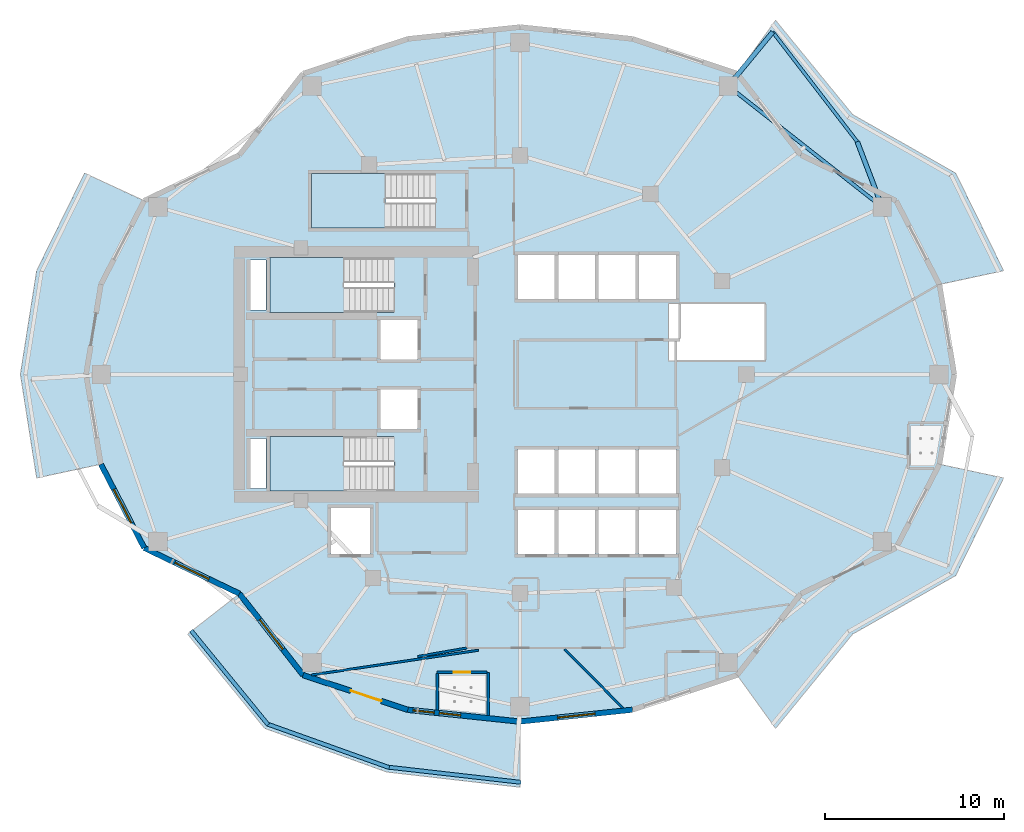
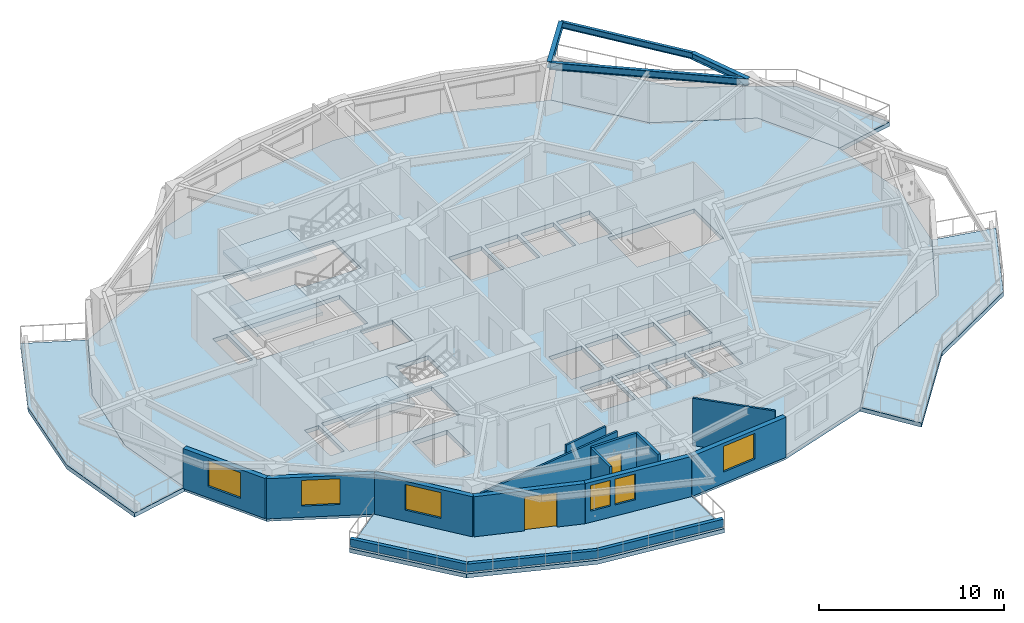
# One storey, part 2 of 14: 15 walls, 8 slabs, 6 windows, 4 beams, 2 doors, 8 openings, 3 elements without a shape of their own.
"""IFC4 building model written with IfcOpenShell, lengths in metres."""

from ifc_helpers import new_model, si_unit, direction, frame, frame_2d, origin, origin_2d, place, context, subcontext, project, spatial, polyline, rectangle, i_section, outline, extrude, material, layer, layer_set, material_profile, profile_set, type_object, element, fill, aggregate, save


model = new_model("IFC4")

# Units and contexts
model_context = context("Model", 3, precision=1e-05, world=origin(), true_north=direction((0.0, 1.0)))
body_context = subcontext(model_context, "Body", "Model", "MODEL_VIEW")
ifc_project = project(units=[si_unit("LENGTHUNIT", "METRE"), si_unit("AREAUNIT", "SQUARE_METRE"), si_unit("VOLUMEUNIT", "CUBIC_METRE"), si_unit("PLANEANGLEUNIT", "RADIAN"), si_unit("MASSUNIT", "GRAM", prefix="KILO")], contexts=[model_context])

# Site, building, storey
site_placement = place(None, origin())
site = spatial("IfcSite", under=ifc_project, at=site_placement, CompositionType="ELEMENT")
building_placement = place(site_placement, origin())
building = spatial("IfcBuilding", under=site, at=building_placement, Name="Kolvaren Gate Tower and Convention Centre", CompositionType="ELEMENT")
storey_placement = place(building_placement, frame((0.0, 0.0, 105.300048828125)))
storey = spatial("IfcBuildingStorey", under=building, at=storey_placement, Name="L25", CompositionType="ELEMENT", Elevation=105.300048828125)

# Beams
ifc_material_1 = material(Name="Structural steel ASTM A992 Grade 345 MPa", Category="steel")
ifc_material_profile_1 = material_profile(ifc_material_1, i_section(OverallWidth=0.260009765625, OverallDepth=0.419921875, WebThickness=0.013427734375, FlangeThickness=0.0224609375, at=origin_2d()), Name="W410X132")
ifc_profile_set_1 = profile_set([ifc_material_profile_1], Name="Structural steel ASTM A992 Grade 345 MPa")
beam_type_1 = type_object("IfcBeamType", Name="STR-BM-W410X132", PredefinedType="BEAM", material=ifc_profile_set_1)
for number, where, z_axis, x_axis, name in (
    (1, (50.30029296875, 36.318603515625, 2.92041015625), (-0.356078629863, 0.934455996479, 0.0), (-0.934455996479, -0.356078629863, 0.0), "Tower L26 Planted Balcony Outrigger Cantilever BC-1A"),
    (2, (41.721435546875, 43.068359375, 2.92041015625), (0.635777466799, 0.771872407014, 0.0), (-0.771872407014, 0.635777466799, 0.0), "Tower L26 Planted Balcony Outrigger Cantilever BC-1B"),
):
    element("IfcBeam", number, at=place(storey_placement, frame(where, z_axis=z_axis, x_axis=x_axis)), inside=storey, type_object=beam_type_1, Name=name, PredefinedType="BEAM", context=body_context, shape_type="SweptSolid", body=[
        extrude(i_section(OverallWidth=0.260009765625, OverallDepth=0.419921875, WebThickness=0.013427734375, FlangeThickness=0.0224609375, at=origin_2d()), origin(), (0.0, 0.0, 1.0), 3.89990234375),
    ])
ifc_material_profile_2 = material_profile(ifc_material_1, i_section(OverallWidth=0.180908203125, OverallDepth=0.4169921875, WebThickness=0.010986328125, FlangeThickness=0.018310546875, at=origin_2d()), Name="W410X85")
ifc_profile_set_2 = profile_set([ifc_material_profile_2], Name="Structural steel ASTM A992 Grade 345 MPa")
beam_type_2 = type_object("IfcBeamType", Name="STR-SP-W410X85", PredefinedType="SPANDREL", material=ifc_profile_set_2)
beam_1_placement = place(storey_placement, frame((48.91162109375, 39.962890625, 2.921875), z_axis=(-0.610222644788, 0.792229969004, 0.0), x_axis=(-0.792229969004, -0.610222644788, 0.0)))
element("IfcBeam", 3, at=beam_1_placement, inside=storey, type_object=beam_type_2, Name="Tower L26 Planted Balcony Header Tie Beam BT-1", PredefinedType="SPANDREL", context=body_context, shape_type="SweptSolid", body=[
    extrude(i_section(OverallWidth=0.180908203125, OverallDepth=0.4169921875, WebThickness=0.010986328125, FlangeThickness=0.018310546875, at=origin_2d()), origin(), (0.0, 0.0, 1.0), 7.7197265625),
])
ifc_material_profile_3 = material_profile(ifc_material_1, i_section(OverallWidth=0.194091796875, OverallDepth=0.468994140625, WebThickness=0.0126953125, FlangeThickness=0.0205078125, at=origin_2d()), Name="W460X106")
ifc_profile_set_3 = profile_set([ifc_material_profile_3], Name="Structural steel ASTM A992 Grade 345 MPa")
beam_type_3 = type_object("IfcBeamType", Name="STR-SP-W460X106", PredefinedType="SPANDREL", material=ifc_profile_set_3)
beam_2_placement = place(storey_placement, frame((50.30029296875, 36.318603515625, 2.8955078125), z_axis=(-0.785907610354, 0.618343939881, 0.0), x_axis=(-0.618343939881, -0.785907610354, 0.0)))
element("IfcBeam", 4, at=beam_2_placement, inside=storey, type_object=beam_type_3, Name="Tower L25 Perimeter Spandrel Beam SP-02", PredefinedType="SPANDREL", context=body_context, shape_type="SweptSolid", body=[
    extrude(i_section(OverallWidth=0.194091796875, OverallDepth=0.468994140625, WebThickness=0.0126953125, FlangeThickness=0.0205078125, at=origin_2d()), origin(), (0.0, 0.0, 1.0), 10.915771484375),
])

# Slabs
ifc_material_2 = material(Name="Concrete C50/60", Category="concrete")
ifc_layer_1 = layer(ifc_material_2, 0.27001953125)
ifc_layer_set_1 = layer_set([ifc_layer_1], Name="Concrete C50/60")
slab_type_1 = type_object("IfcSlabType", Name="STR-SL-BALC-270", PredefinedType="FLOOR", material=ifc_layer_set_1)
slab_1_placement = place(storey_placement, frame((0.0, 0.0, -0.27001953125)))
element("IfcSlab", 5, at=slab_1_placement, inside=storey, type_object=slab_type_1, Name="Tower L25 Planted Balcony Terrace Slab 1 (East)", PredefinedType="FLOOR", context=body_context, shape_type="SweptSolid", body=[
    extrude(outline(polyline([(53.48828125, 32.008056640625), (51.072021484375, 36.675048828125), (45.768798828125, 39.222900390625), (42.21875, 43.757568359375), (44.360595703125, 46.725341796875), (48.652587890625, 41.476318359375), (54.394775390625, 38.209716796875), (57.06689453125, 32.775146484375), (53.48828125, 32.008056640625)])), origin(), (0.0, 0.0, 1.0), 0.27001953125),
])
slab_2_placement = place(storey_placement, frame((0.0, 0.0, -0.27001953125)))
element("IfcSlab", 6, at=slab_2_placement, inside=storey, type_object=slab_type_1, Name="Tower L25 Planted Balcony Terrace Slab 2 (West)", PredefinedType="FLOOR", context=body_context, shape_type="SweptSolid", body=[
    extrude(outline(polyline([(9.177978515625, 36.675048828125), (6.76171875, 32.008056640625), (5.9375, 27.0), (6.76171875, 21.991943359375), (3.18310546875, 21.224853515625), (2.277587890625, 27.0), (3.18310546875, 32.775146484375), (5.855224609375, 38.209716796875), (9.177978515625, 36.675048828125)])), origin(), (0.0, 0.0, 1.0), 0.27001953125),
])
slab_3_placement = place(storey_placement, frame((0.0, 0.0, -0.27001953125)))
element("IfcSlab", 7, at=slab_3_placement, inside=storey, type_object=slab_type_1, Name="Tower L25 Planted Balcony Terrace Slab 3 (South)", PredefinedType="FLOOR", context=body_context, shape_type="SweptSolid", body=[
    extrude(outline(polyline([(14.481201171875, 14.777099609375), (18.03125, 10.242431640625), (23.86474609375, 8.309326171875), (30.125, 7.64990234375), (30.125, 3.989990234375), (22.702392578125, 4.8388671875), (15.889404296875, 7.274658203125), (11.597412109375, 12.523681640625), (14.481201171875, 14.777099609375)])), origin(), (0.0, 0.0, 1.0), 0.27001953125),
])
slab_4_placement = place(storey_placement, frame((0.0, 0.0, -0.27001953125)))
element("IfcSlab", 8, at=slab_4_placement, inside=storey, type_object=slab_type_1, Name="Tower L25 Planted Balcony Terrace Slab 4 (East)", PredefinedType="FLOOR", context=body_context, shape_type="SweptSolid", body=[
    extrude(outline(polyline([(42.21875, 10.242431640625), (45.768798828125, 14.777099609375), (51.072021484375, 17.324951171875), (53.48828125, 21.991943359375), (57.06689453125, 21.224853515625), (54.394775390625, 15.790283203125), (48.652587890625, 12.523681640625), (44.360595703125, 7.274658203125), (42.21875, 10.242431640625)])), origin(), (0.0, 0.0, 1.0), 0.27001953125),
])
ifc_material_3 = material(Name="Concrete C40/50", Category="concrete")
ifc_layer_2 = layer(ifc_material_3, 0.27001953125)
ifc_layer_set_2 = layer_set([ifc_layer_2], Name="Concrete C40/50")
slab_type_2 = type_object("IfcSlabType", Name="STR-SL-FLR-270", PredefinedType="FLOOR", material=ifc_layer_set_2)
slab_5_placement = place(storey_placement, frame((0.0, 0.0, -0.27001953125)))
element("IfcSlab", 9, at=slab_5_placement, inside=storey, type_object=slab_type_2, Name="Tower L25 Structural Floor Slab", PredefinedType="FLOOR", context=body_context, shape_type="SweptSolid", body=[
    extrude(outline(polyline([(54.3125, 27.0), (53.48828125, 32.008056640625), (51.072021484375, 36.675048828125), (45.768798828125, 39.222900390625), (42.21875, 43.757568359375), (36.38525390625, 45.690673828125), (30.125, 46.35009765625), (23.86474609375, 45.690673828125), (18.03125, 43.757568359375), (14.481201171875, 39.222900390625), (9.177978515625, 36.675048828125), (6.76171875, 32.008056640625), (5.9375, 27.0), (6.76171875, 21.991943359375), (9.177978515625, 17.324951171875), (14.481201171875, 14.777099609375), (18.03125, 10.242431640625), (23.86474609375, 8.309326171875), (30.125, 7.64990234375), (36.38525390625, 8.309326171875), (42.21875, 10.242431640625), (45.768798828125, 14.777099609375), (51.072021484375, 17.324951171875), (53.48828125, 21.991943359375), (54.3125, 27.0)]), holes=[polyline([(38.39990234375, 30.949951171875), (43.800048828125, 30.949951171875), (43.800048828125, 27.75), (38.39990234375, 27.75), (38.39990234375, 30.949951171875)]), polyline([(36.75, 33.64990234375), (38.800048828125, 33.64990234375), (38.800048828125, 31.199951171875), (36.75, 31.199951171875), (36.75, 33.64990234375)]), polyline([(36.75, 22.800048828125), (38.800048828125, 22.800048828125), (38.800048828125, 20.35009765625), (36.75, 20.35009765625), (36.75, 22.800048828125)]), polyline([(36.75, 19.449951171875), (38.800048828125, 19.449951171875), (38.800048828125, 17.0), (36.75, 17.0), (36.75, 19.449951171875)]), polyline([(34.5, 33.64990234375), (36.550048828125, 33.64990234375), (36.550048828125, 31.199951171875), (34.5, 31.199951171875), (34.5, 33.64990234375)]), polyline([(34.5, 20.35009765625), (34.5, 22.800048828125), (36.550048828125, 22.800048828125), (36.550048828125, 20.35009765625), (34.5, 20.35009765625)]), polyline([(34.5, 17.0), (34.5, 19.449951171875), (36.550048828125, 19.449951171875), (36.550048828125, 17.0), (34.5, 17.0)]), polyline([(32.25, 31.199951171875), (32.25, 33.64990234375), (34.300048828125, 33.64990234375), (34.300048828125, 31.199951171875), (32.25, 31.199951171875)]), polyline([(32.25, 22.800048828125), (34.300048828125, 22.800048828125), (34.300048828125, 20.35009765625), (32.25, 20.35009765625), (32.25, 22.800048828125)]), polyline([(32.25, 17.0), (32.25, 19.449951171875), (34.300048828125, 19.449951171875), (34.300048828125, 17.0), (32.25, 17.0)]), polyline([(30.0, 33.64990234375), (32.050048828125, 33.64990234375), (32.050048828125, 31.199951171875), (30.0, 31.199951171875), (30.0, 33.64990234375)]), polyline([(30.0, 20.35009765625), (30.0, 22.800048828125), (32.050048828125, 22.800048828125), (32.050048828125, 20.35009765625), (30.0, 20.35009765625)]), polyline([(30.0, 17.0), (30.0, 19.449951171875), (32.050048828125, 19.449951171875), (32.050048828125, 17.0), (30.0, 17.0)]), polyline([(25.39990234375, 38.199951171875), (25.39990234375, 35.159912109375), (18.5, 35.159912109375), (18.5, 38.199951171875), (25.39990234375, 38.199951171875)]), polyline([(22.35009765625, 27.840087890625), (22.35009765625, 30.0400390625), (24.39990234375, 30.0400390625), (24.39990234375, 27.840087890625), (22.35009765625, 27.840087890625)]), polyline([(22.35009765625, 23.9599609375), (22.35009765625, 26.159912109375), (24.39990234375, 26.159912109375), (24.39990234375, 23.9599609375), (22.35009765625, 23.9599609375)]), polyline([(23.10009765625, 30.4599609375), (16.199951171875, 30.4599609375), (16.199951171875, 33.5), (23.10009765625, 33.5), (23.10009765625, 30.4599609375)]), polyline([(23.10009765625, 20.5), (16.199951171875, 20.5), (16.199951171875, 23.5400390625), (23.10009765625, 23.5400390625), (23.10009765625, 20.5)]), polyline([(19.60009765625, 17.0), (19.60009765625, 19.550048828125), (21.75, 19.550048828125), (21.75, 17.0), (19.60009765625, 17.0)]), polyline([(15.080078125, 23.419921875), (15.969970703125, 23.419921875), (15.969970703125, 20.6298828125), (15.080078125, 20.6298828125), (15.080078125, 23.419921875)]), polyline([(15.080078125, 30.580078125), (15.080078125, 33.3701171875), (15.969970703125, 33.3701171875), (15.969970703125, 30.580078125), (15.080078125, 30.580078125)])]), origin(), (0.0, 0.0, 1.0), 0.27001953125),
])

# Stair, slab
stair_type = type_object("IfcStairType", Name="STR-STAIR-CORE", PredefinedType="HALF_TURN_STAIR", material=ifc_material_2)
stair_1_placement = place(storey_placement, origin())
stair_1 = element("IfcStair", 10, at=stair_1_placement, inside=storey, type_object=stair_type, Name="L25 Tower North Exit Stair ST-T1", PredefinedType="HALF_TURN_STAIR")
ifc_layer_3 = layer(ifc_material_2, 0.199951171875)
ifc_layer_set_3 = layer_set([ifc_layer_3], Name="Concrete C50/60")
slab_type_3 = type_object("IfcSlabType", Name="STR-SL-LAND-200", PredefinedType="LANDING", material=ifc_layer_set_3)
slab_6_placement = place(storey_placement, frame((0.0, 0.0, 1.5)))
slab_6 = element("IfcSlab", 11, at=slab_6_placement, type_object=slab_type_3, Name="ST-T1 landing 1", PredefinedType="LANDING", context=body_context, shape_type="SweptSolid", body=[
    extrude(outline(polyline([(20.31005859375, 33.5), (16.199951171875, 33.5), (16.199951171875, 30.4599609375), (20.31005859375, 30.4599609375), (20.31005859375, 33.5)])), origin(), (0.0, 0.0, 1.0), 0.199951171875),
])
aggregate(stair_1, [slab_6])

stair_2_placement = place(storey_placement, origin())
stair_2 = element("IfcStair", 12, at=stair_2_placement, inside=storey, type_object=stair_type, Name="L25 Tower South Exit Stair ST-T2", PredefinedType="HALF_TURN_STAIR")
slab_7_placement = place(storey_placement, frame((0.0, 0.0, 1.5)))
slab_7 = element("IfcSlab", 13, at=slab_7_placement, type_object=slab_type_3, Name="ST-T2 landing 1", PredefinedType="LANDING", context=body_context, shape_type="SweptSolid", body=[
    extrude(outline(polyline([(20.31005859375, 23.5400390625), (16.199951171875, 23.5400390625), (16.199951171875, 20.5), (20.31005859375, 20.5), (20.31005859375, 23.5400390625)])), origin(), (0.0, 0.0, 1.0), 0.199951171875),
])
aggregate(stair_2, [slab_7])

stair_3_placement = place(storey_placement, origin())
stair_3 = element("IfcStair", 14, at=stair_3_placement, inside=storey, type_object=stair_type, Name="L25 Tower Mid-Zone Exit Stair ST-T3", PredefinedType="HALF_TURN_STAIR")
slab_8_placement = place(storey_placement, frame((0.0, 0.0, 1.5)))
slab_8 = element("IfcSlab", 15, at=slab_8_placement, type_object=slab_type_3, Name="ST-T3 landing 1", PredefinedType="LANDING", context=body_context, shape_type="SweptSolid", body=[
    extrude(outline(polyline([(22.610107421875, 38.199951171875), (18.5, 38.199951171875), (18.5, 35.159912109375), (22.610107421875, 35.159912109375), (22.610107421875, 38.199951171875)])), origin(), (0.0, 0.0, 1.0), 0.199951171875),
])
aggregate(stair_3, [slab_8])

# Walls
ifc_material_4 = material(Name="Fire-Rated Acoustic Gypsum Stud Partition", Category="gypsum")
ifc_layer_4 = layer(ifc_material_4, 0.1201171875)
ifc_layer_set_4 = layer_set([ifc_layer_4], Name="Fire-Rated Acoustic Gypsum Stud Partition")
wall_type_1 = type_object("IfcWallType", Name="ARCH-WL-PART-120", PredefinedType="PARTITIONING", material=ifc_layer_set_4)
wall_1_placement = place(storey_placement, frame((18.496337890625, 10.248291015625, 0.0), z_axis=(0.0, 0.0, 1.0), x_axis=(0.989204993819, 0.14653832333, 0.0)))
element("IfcWall", 16, at=wall_1_placement, inside=storey, type_object=wall_type_1, Name="Interior Partition WL-L25-INT-038", PredefinedType="PARTITIONING", context=body_context, shape_type="SweptSolid", body=[
    extrude(rectangle(XDim=9.414794921875, YDim=0.1201171875, at=frame_2d((4.70751953125, 0.0))), origin(), (0.0, 0.0, 1.0), 2.65283203125),
])
wall_2_placement = place(storey_placement, frame((32.604248046875, 11.68798828125, 0.0), z_axis=(0.0, 0.0, 1.0), x_axis=(0.703262237237, -0.710930535057, 0.0)))
element("IfcWall", 17, at=wall_2_placement, inside=storey, type_object=wall_type_1, Name="Interior Partition WL-L25-INT-040", PredefinedType="PARTITIONING", context=body_context, shape_type="SweptSolid", body=[
    extrude(rectangle(XDim=4.616455078125, YDim=0.1201171875, at=frame_2d((2.30810546875, 0.0))), origin(), (0.0, 0.0, 1.0), 3.1298828125),
])
wall_3_placement = place(storey_placement, frame((24.42138671875, 11.277587890625, 0.0), z_axis=(0.0, 0.0, 1.0), x_axis=(0.98534024709, 0.170600695966, 0.0)))
element("IfcWall", 18, at=wall_3_placement, inside=storey, type_object=wall_type_1, Name="Interior Partition WL-L25-INT-054", PredefinedType="PARTITIONING", context=body_context, shape_type="SweptSolid", body=[
    extrude(rectangle(XDim=2.76904296875, YDim=0.1201171875, at=frame_2d((1.384521484375, 0.0))), origin(), (0.0, 0.0, 1.0), 3.1298828125),
])
ifc_material_5 = material(Name="Piedmont Cream Honed Limestone Cladding", Category="masonry")
ifc_layer_5 = layer(ifc_material_5, 0.219970703125)
ifc_layer_set_5 = layer_set([ifc_layer_5], Name="Piedmont Cream Honed Limestone Cladding")
wall_type_2 = type_object("IfcWallType", Name="ARCH-WL-PLANTER-220", PredefinedType="PARAPET", material=ifc_layer_set_5)
wall_4_placement = place(storey_placement, frame((11.791015625, 12.725830078125, 0.0), z_axis=(0.0, 0.0, 1.0), x_axis=(0.633002467947, -0.77414977593, 0.0)))
element("IfcWall", 19, at=wall_4_placement, inside=storey, type_object=wall_type_2, Name="Vertical-Forest Balcony Stone Planter Kerb PK-L25-3.1", PredefinedType="PARAPET", context=body_context, shape_type="SweptSolid", body=[
    extrude(rectangle(XDim=6.7802734375, YDim=0.219970703125, at=frame_2d((3.39013671875, 0.0))), origin(), (0.0, 0.0, 1.0), 0.52001953125),
])
wall_5_placement = place(storey_placement, frame((16.017822265625, 7.523193359375, 0.0), z_axis=(0.0, 0.0, 1.0), x_axis=(0.941632697311, -0.336642040387, 0.0)))
element("IfcWall", 20, at=wall_5_placement, inside=storey, type_object=wall_type_2, Name="Vertical-Forest Balcony Stone Planter Kerb PK-L25-3.2", PredefinedType="PARAPET", context=body_context, shape_type="SweptSolid", body=[
    extrude(rectangle(XDim=7.235595703125, YDim=0.219970703125, at=frame_2d((3.61767578125, 0.0))), origin(), (0.0, 0.0, 1.0), 0.52001953125),
])
wall_6_placement = place(storey_placement, frame((22.747802734375, 5.114990234375, 0.0), z_axis=(0.0, 0.0, 1.0), x_axis=(0.993527615836, -0.11359082961, 0.0)))
element("IfcWall", 21, at=wall_6_placement, inside=storey, type_object=wall_type_2, Name="Vertical-Forest Balcony Stone Planter Kerb PK-L25-3.3", PredefinedType="PARAPET", context=body_context, shape_type="SweptSolid", body=[
    extrude(rectangle(XDim=7.470947265625, YDim=0.219970703125, at=frame_2d((3.7353515625, 0.0))), origin(), (0.0, 0.0, 1.0), 0.52001953125),
])

# Wall, opening, window
ifc_layer_6 = layer(ifc_material_5, 0.300048828125)
ifc_layer_set_6 = layer_set([ifc_layer_6], Name="Piedmont Cream Honed Limestone Cladding")
wall_type_3 = type_object("IfcWallType", Name="ARCH-WL-STONE-300", PredefinedType="SOLIDWALL", material=ifc_layer_set_6)
wall_7_placement = place(storey_placement, frame((6.76171875, 21.991943359375, 0.0), z_axis=(0.0, 0.0, 1.0), x_axis=(0.459767899643, -0.888039119892, 0.0)))
wall_7 = element("IfcWall", 22, at=wall_7_placement, inside=storey, type_object=wall_type_3, Name="Tower L25 Honed Stone Spandrel Wall EW-13", PredefinedType="SOLIDWALL", context=body_context, shape_type="SweptSolid", body=[
    extrude(rectangle(XDim=5.25537109375, YDim=0.300048828125, at=frame_2d((2.627685546875, 0.0))), origin(), (0.0, 0.0, 1.0), 2.65283203125),
])
opening_1_placement = place(wall_7_placement, frame((1.577880859375, 0.0, 0.739990234375)))
opening_1 = element("IfcOpeningElement", 23, at=opening_1_placement, cuts=wall_7, Name="Opening W-02", PredefinedType="OPENING", context=body_context, shape_type="SweptSolid", body=[
    extrude(rectangle(XDim=2.10009765625, YDim=1.699951171875, at=frame_2d((1.050048828125, 0.85009765625))), frame((0.0, 0.159912109375, 0.0), z_axis=(0.0, -1.0, 0.0), x_axis=(1.0, 0.0, 0.0)), (0.0, 0.0, 1.0), 0.320068359375),
])
ifc_material_6 = material(Name="Low-E Triple Insulated Glazing Unit 44 mm", Category="glass")
window_type_1 = type_object("IfcWindowType", Name="ARCH-WN-HTL-2100", PartitioningType="SINGLE_PANEL", PredefinedType="WINDOW", material=ifc_material_6)
window_1_placement = place(opening_1_placement, origin())
window_1 = element("IfcWindow", 24, at=window_1_placement, inside=storey, type_object=window_type_1, Name="Tower L25 Punched Stone Facade Window W-13", OverallHeight=1.699951171875, OverallWidth=2.10009765625, PartitioningType="SINGLE_PANEL", PredefinedType="WINDOW", context=body_context, shape_type="SweptSolid", body=[
    extrude(rectangle(XDim=2.10009765625, YDim=1.699951171875, at=frame_2d((1.050048828125, 0.85009765625))), frame((0.0, 0.030029296875, 0.0), z_axis=(0.0, -1.0, 0.0), x_axis=(1.0, 0.0, 0.0)), (0.0, 0.0, 1.0), 0.06005859375),
])
fill(opening_1, window_1)

wall_8_placement = place(storey_placement, frame((9.177978515625, 17.324951171875, 0.0), z_axis=(0.0, 0.0, 1.0), x_axis=(0.901370184739, -0.433049408339, 0.0)))
wall_8 = element("IfcWall", 25, at=wall_8_placement, inside=storey, type_object=wall_type_3, Name="Tower L25 Honed Stone Spandrel Wall EW-14", PredefinedType="SOLIDWALL", context=body_context, shape_type="SweptSolid", body=[
    extrude(rectangle(XDim=5.883544921875, YDim=0.300048828125, at=frame_2d((2.94189453125, 0.0))), origin(), (0.0, 0.0, 1.0), 2.65283203125),
])
opening_2_placement = place(wall_8_placement, frame((1.89208984375, 0.0, 0.739990234375)))
opening_2 = element("IfcOpeningElement", 26, at=opening_2_placement, cuts=wall_8, Name="Opening W-02", PredefinedType="OPENING", context=body_context, shape_type="SweptSolid", body=[
    extrude(rectangle(XDim=2.10009765625, YDim=1.699951171875, at=frame_2d((1.050048828125, 0.85009765625))), frame((0.0, 0.159912109375, 0.0), z_axis=(0.0, -1.0, 0.0), x_axis=(1.0, 0.0, 0.0)), (0.0, 0.0, 1.0), 0.320068359375),
])
window_2_placement = place(opening_2_placement, origin())
window_2 = element("IfcWindow", 27, at=window_2_placement, inside=storey, type_object=window_type_1, Name="Tower L25 Punched Stone Facade Window W-14", OverallHeight=1.699951171875, OverallWidth=2.10009765625, PartitioningType="SINGLE_PANEL", PredefinedType="WINDOW", context=body_context, shape_type="SweptSolid", body=[
    extrude(rectangle(XDim=2.10009765625, YDim=1.699951171875, at=frame_2d((1.050048828125, 0.85009765625))), frame((0.0, 0.030029296875, 0.0), z_axis=(0.0, -1.0, 0.0), x_axis=(1.0, 0.0, 0.0)), (0.0, 0.0, 1.0), 0.06005859375),
])
fill(opening_2, window_2)

wall_9_placement = place(storey_placement, frame((14.481201171875, 14.777099609375, 0.0), z_axis=(0.0, 0.0, 1.0), x_axis=(0.616435134162, -0.787405693001, 0.0)))
wall_9 = element("IfcWall", 28, at=wall_9_placement, inside=storey, type_object=wall_type_3, Name="Tower L25 Honed Stone Spandrel Wall EW-15", PredefinedType="SOLIDWALL", context=body_context, shape_type="SweptSolid", body=[
    extrude(rectangle(XDim=5.759033203125, YDim=0.300048828125, at=frame_2d((2.87939453125, 0.0))), origin(), (0.0, 0.0, 1.0), 2.65283203125),
])
opening_3_placement = place(wall_9_placement, frame((1.8291015625, 0.0, 0.739990234375)))
opening_3 = element("IfcOpeningElement", 29, at=opening_3_placement, cuts=wall_9, Name="Opening W-02", PredefinedType="OPENING", context=body_context, shape_type="SweptSolid", body=[
    extrude(rectangle(XDim=2.10009765625, YDim=1.699951171875, at=frame_2d((1.050048828125, 0.85009765625))), frame((0.0, 0.159912109375, 0.0), z_axis=(0.0, -1.0, 0.0), x_axis=(1.0, 0.0, 0.0)), (0.0, 0.0, 1.0), 0.320068359375),
])
window_3_placement = place(opening_3_placement, origin())
window_3 = element("IfcWindow", 30, at=window_3_placement, inside=storey, type_object=window_type_1, Name="Tower L25 Punched Stone Facade Window W-15", OverallHeight=1.699951171875, OverallWidth=2.10009765625, PartitioningType="SINGLE_PANEL", PredefinedType="WINDOW", context=body_context, shape_type="SweptSolid", body=[
    extrude(rectangle(XDim=2.10009765625, YDim=1.699951171875, at=frame_2d((1.050048828125, 0.85009765625))), frame((0.0, 0.030029296875, 0.0), z_axis=(0.0, -1.0, 0.0), x_axis=(1.0, 0.0, 0.0)), (0.0, 0.0, 1.0), 0.06005859375),
])
fill(opening_3, window_3)

# Wall, opening, door
wall_10_placement = place(storey_placement, frame((18.03125, 10.242431640625, 0.0), z_axis=(0.0, 0.0, 1.0), x_axis=(0.949238009374, -0.314558741032, 0.0)))
wall_10 = element("IfcWall", 31, at=wall_10_placement, inside=storey, type_object=wall_type_3, Name="Tower L25 Honed Stone Spandrel Wall EW-16", PredefinedType="SOLIDWALL", context=body_context, shape_type="SweptSolid", body=[
    extrude(rectangle(XDim=6.1455078125, YDim=0.300048828125, at=frame_2d((3.07275390625, 0.0))), origin(), (0.0, 0.0, 1.0), 2.65283203125),
])
opening_4_placement = place(wall_10_placement, frame((2.800048828125, 0.0, 0.0)))
opening_4 = element("IfcOpeningElement", 32, at=opening_4_placement, cuts=wall_10, Name="Opening DB-01", PredefinedType="OPENING", context=body_context, shape_type="SweptSolid", body=[
    extrude(rectangle(XDim=1.800048828125, YDim=2.25, at=frame_2d((0.89990234375, 1.125))), frame((0.0, 0.159912109375, 0.0), z_axis=(0.0, -1.0, 0.0), x_axis=(1.0, 0.0, 0.0)), (0.0, 0.0, 1.0), 0.320068359375),
])
ifc_material_7 = material(Name="Anodized Architectural Aluminium Alloy 6063-T6", Category="aluminium")
door_type_1 = type_object("IfcDoorType", Name="ARCH-DR-BALC-1800", OperationType="SLIDING_TO_LEFT", PredefinedType="DOOR", material=ifc_material_7)
door_1_placement = place(opening_4_placement, frame((1.800048828125, 0.0, 0.0), z_axis=(0.0, 0.0, 1.0), x_axis=(-1.0, 0.0, 0.0)))
door_1 = element("IfcDoor", 33, at=door_1_placement, inside=storey, type_object=door_type_1, Name="Planted Sky Terrace Access Door DB-L25-16", OperationType="SLIDING_TO_LEFT", OverallHeight=2.25, OverallWidth=1.800048828125, PredefinedType="DOOR", context=body_context, shape_type="SweptSolid", body=[
    extrude(rectangle(XDim=1.800048828125, YDim=2.25, at=frame_2d((0.89990234375, 1.125))), frame((0.0, 0.02490234375, 0.0), z_axis=(0.0, -1.0, 0.0), x_axis=(1.0, 0.0, 0.0)), (0.0, 0.0, 1.0), 0.050048828125),
])
fill(opening_4, door_1)

# Wall, openings, windows
wall_11_placement = place(storey_placement, frame((23.86474609375, 8.309326171875, 0.0), z_axis=(0.0, 0.0, 1.0), x_axis=(0.994498012394, -0.104755445421, 0.0)))
wall_11 = element("IfcWall", 34, at=wall_11_placement, inside=storey, type_object=wall_type_3, Name="Tower L25 Honed Stone Spandrel Wall EW-17", PredefinedType="SOLIDWALL", context=body_context, shape_type="SweptSolid", body=[
    extrude(rectangle(XDim=6.294921875, YDim=0.300048828125, at=frame_2d((3.1474609375, 0.0))), origin(), (0.0, 0.0, 1.0), 2.65283203125),
])
opening_5_placement = place(wall_11_placement, frame((0.29150390625, 0.0, 0.739990234375)))
opening_5 = element("IfcOpeningElement", 35, at=opening_5_placement, cuts=wall_11, Name="Opening W-04", PredefinedType="OPENING", context=body_context, shape_type="SweptSolid", body=[
    extrude(rectangle(XDim=1.199951171875, YDim=1.699951171875, at=frame_2d((0.60009765625, 0.85009765625))), frame((0.0, 0.159912109375, 0.0), z_axis=(0.0, -1.0, 0.0), x_axis=(1.0, 0.0, 0.0)), (0.0, 0.0, 1.0), 0.320068359375),
])
opening_6_placement = place(wall_11_placement, frame((1.75830078125, 0.0, 0.739990234375)))
opening_6 = element("IfcOpeningElement", 36, at=opening_6_placement, cuts=wall_11, Name="Opening W-04", PredefinedType="OPENING", context=body_context, shape_type="SweptSolid", body=[
    extrude(rectangle(XDim=1.199951171875, YDim=1.699951171875, at=frame_2d((0.60009765625, 0.85009765625))), frame((0.0, 0.159912109375, 0.0), z_axis=(0.0, -1.0, 0.0), x_axis=(1.0, 0.0, 0.0)), (0.0, 0.0, 1.0), 0.320068359375),
])
window_type_2 = type_object("IfcWindowType", Name="ARCH-WN-NARROW-1200", PartitioningType="SINGLE_PANEL", PredefinedType="WINDOW", material=ifc_material_6)
window_4_placement = place(opening_5_placement, origin())
window_4 = element("IfcWindow", 37, at=window_4_placement, inside=storey, type_object=window_type_2, Name="Tower L25 Punched Stone Facade Window W-17", OverallHeight=1.699951171875, OverallWidth=1.199951171875, PartitioningType="SINGLE_PANEL", PredefinedType="WINDOW", context=body_context, shape_type="SweptSolid", body=[
    extrude(rectangle(XDim=1.199951171875, YDim=1.699951171875, at=frame_2d((0.60009765625, 0.85009765625))), frame((0.0, 0.030029296875, 0.0), z_axis=(0.0, -1.0, 0.0), x_axis=(1.0, 0.0, 0.0)), (0.0, 0.0, 1.0), 0.06005859375),
])
fill(opening_5, window_4)
window_5_placement = place(opening_6_placement, origin())
window_5 = element("IfcWindow", 38, at=window_5_placement, inside=storey, type_object=window_type_2, Name="Tower L25 Punched Stone Facade Window W-17B", OverallHeight=1.699951171875, OverallWidth=1.199951171875, PartitioningType="SINGLE_PANEL", PredefinedType="WINDOW", context=body_context, shape_type="SweptSolid", body=[
    extrude(rectangle(XDim=1.199951171875, YDim=1.699951171875, at=frame_2d((0.60009765625, 0.85009765625))), frame((0.0, 0.030029296875, 0.0), z_axis=(0.0, -1.0, 0.0), x_axis=(1.0, 0.0, 0.0)), (0.0, 0.0, 1.0), 0.06005859375),
])
fill(opening_6, window_5)

# Wall, opening, window
wall_12_placement = place(storey_placement, frame((30.125, 7.64990234375, 0.0), z_axis=(0.0, 0.0, 1.0), x_axis=(0.994498012394, 0.104755445421, 0.0)))
wall_12 = element("IfcWall", 39, at=wall_12_placement, inside=storey, type_object=wall_type_3, Name="Tower L25 Honed Stone Spandrel Wall EW-18", PredefinedType="SOLIDWALL", context=body_context, shape_type="SweptSolid", body=[
    extrude(rectangle(XDim=6.294921875, YDim=0.300048828125, at=frame_2d((3.1474609375, 0.0))), origin(), (0.0, 0.0, 1.0), 2.65283203125),
])
opening_7_placement = place(wall_12_placement, frame((2.096923828125, 0.0, 0.739990234375)))
opening_7 = element("IfcOpeningElement", 40, at=opening_7_placement, cuts=wall_12, Name="Opening W-02", PredefinedType="OPENING", context=body_context, shape_type="SweptSolid", body=[
    extrude(rectangle(XDim=2.10009765625, YDim=1.699951171875, at=frame_2d((1.050048828125, 0.85009765625))), frame((0.0, 0.159912109375, 0.0), z_axis=(0.0, -1.0, 0.0), x_axis=(1.0, 0.0, 0.0)), (0.0, 0.0, 1.0), 0.320068359375),
])
window_6_placement = place(opening_7_placement, origin())
window_6 = element("IfcWindow", 41, at=window_6_placement, inside=storey, type_object=window_type_1, Name="Tower L25 Punched Stone Facade Window W-18", OverallHeight=1.699951171875, OverallWidth=2.10009765625, PartitioningType="SINGLE_PANEL", PredefinedType="WINDOW", context=body_context, shape_type="SweptSolid", body=[
    extrude(rectangle(XDim=2.10009765625, YDim=1.699951171875, at=frame_2d((1.050048828125, 0.85009765625))), frame((0.0, 0.030029296875, 0.0), z_axis=(0.0, -1.0, 0.0), x_axis=(1.0, 0.0, 0.0)), (0.0, 0.0, 1.0), 0.06005859375),
])
fill(opening_7, window_6)

# Wall
ifc_material_8 = material(Name="Moisture-Resistant Cement-Board Acoustic Partition", Category="gypsum")
ifc_layer_7 = layer(ifc_material_8, 0.14990234375)
ifc_layer_set_7 = layer_set([ifc_layer_7], Name="Moisture-Resistant Cement-Board Acoustic Partition")
wall_type_4 = type_object("IfcWallType", Name="ARCH-WL-WET-150", PredefinedType="PARTITIONING", material=ifc_layer_set_7)
wall_13_placement = place(storey_placement, frame((28.35009765625, 7.98974609375, 0.0), z_axis=(0.0, 0.0, 1.0), x_axis=(0.0, 1.0, 0.0)))
element("IfcWall", 42, at=wall_13_placement, inside=storey, type_object=wall_type_4, Name="Interior Partition WL-L25-INT-041", PredefinedType="PARTITIONING", context=body_context, shape_type="SweptSolid", body=[
    extrude(rectangle(XDim=2.41015625, YDim=0.14990234375, at=frame_2d((1.205078125, 0.0))), origin(), (0.0, 0.0, 1.0), 3.1298828125),
])

# Wall, opening, door
wall_14_placement = place(storey_placement, frame((25.5, 10.39990234375, 0.0), z_axis=(0.0, 0.0, 1.0), x_axis=(1.0, 0.0, 0.0)))
wall_14 = element("IfcWall", 43, at=wall_14_placement, inside=storey, type_object=wall_type_4, Name="Interior Partition WL-L25-INT-042", PredefinedType="PARTITIONING", context=body_context, shape_type="SweptSolid", body=[
    extrude(rectangle(XDim=2.77294921875, YDim=0.14990234375, at=frame_2d((1.386474609375, 0.0))), origin(), (0.0, 0.0, 1.0), 3.1298828125),
])
opening_8_placement = place(wall_14_placement, frame((0.9365234375, 0.0, 0.0)))
opening_8 = element("IfcOpeningElement", 44, at=opening_8_placement, cuts=wall_14, Name="Opening DW-01", PredefinedType="OPENING", context=body_context, shape_type="SweptSolid", body=[
    extrude(rectangle(XDim=0.89990234375, YDim=2.10009765625, at=frame_2d((0.449951171875, 1.050048828125))), frame((0.0, 0.0849609375, 0.0), z_axis=(0.0, -1.0, 0.0), x_axis=(1.0, 0.0, 0.0)), (0.0, 0.0, 1.0), 0.169921875),
])
ifc_material_9 = material(Name="FSC Andean Oak Engineered Veneer Door Leaf", Category="wood")
door_type_2 = type_object("IfcDoorType", Name="ARCH-DR-WC-900", OperationType="SINGLE_SWING_RIGHT", PredefinedType="DOOR", material=ifc_material_9)
door_2_placement = place(opening_8_placement, origin())
door_2 = element("IfcDoor", 45, at=door_2_placement, inside=storey, type_object=door_type_2, Name="En-suite Bathroom (HTL-L25-01) Door", OperationType="SINGLE_SWING_LEFT", OverallHeight=2.10009765625, OverallWidth=0.89990234375, PredefinedType="DOOR", context=body_context, shape_type="SweptSolid", body=[
    extrude(rectangle(XDim=0.89990234375, YDim=2.10009765625, at=frame_2d((0.449951171875, 1.050048828125))), frame((0.0, 0.02490234375, 0.0), z_axis=(0.0, -1.0, 0.0), x_axis=(1.0, 0.0, 0.0)), (0.0, 0.0, 1.0), 0.050048828125),
])
fill(opening_8, door_2)

# Wall
wall_15_placement = place(storey_placement, frame((25.5, 8.289794921875, 0.0), z_axis=(0.0, 0.0, 1.0), x_axis=(0.0, 1.0, 0.0)))
element("IfcWall", 46, at=wall_15_placement, inside=storey, type_object=wall_type_4, Name="Interior Partition WL-L25-INT-043", PredefinedType="PARTITIONING", context=body_context, shape_type="SweptSolid", body=[
    extrude(rectangle(XDim=2.033203125, YDim=0.14990234375, at=frame_2d((1.0166015625, 0.0))), origin(), (0.0, 0.0, 1.0), 3.1298828125),
])

save(model, "model.ifc")
